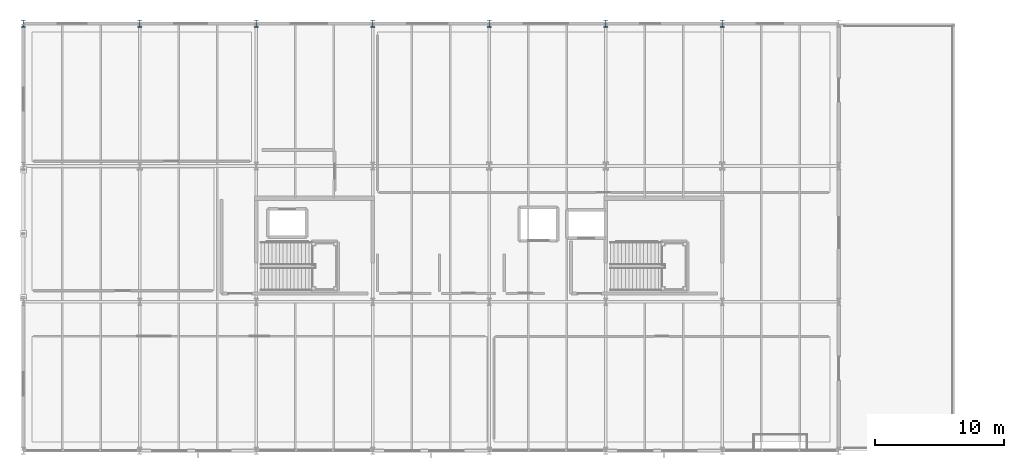
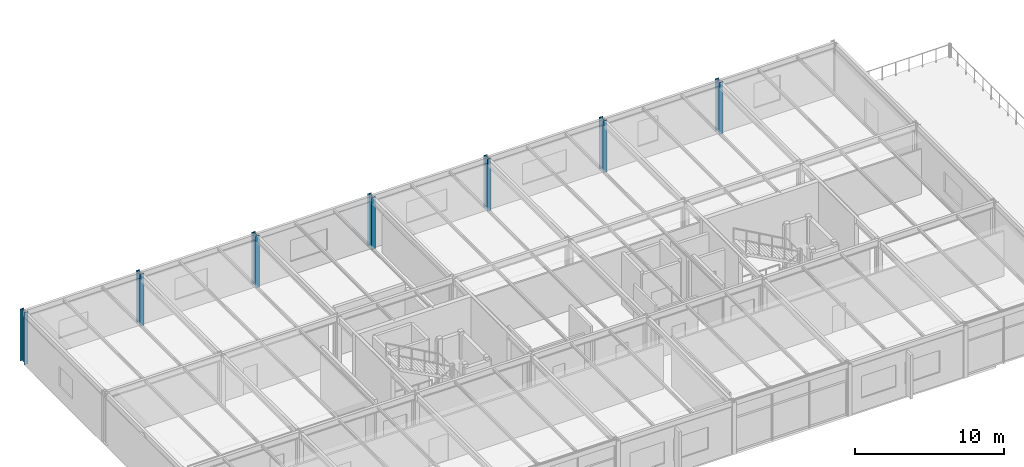
# One storey, part 3 of 44: 7 columns.
"""IFC4 building model written with IfcOpenShell, lengths in metres."""

from ifc_helpers import new_model, si_unit, direction, frame, origin, origin_2d, place, context, subcontext, project, spatial, i_section, extrude, material, material_profile, profile_set, type_object, element, save


model = new_model("IFC4")

# Units and contexts
model_context = context("Model", 3, precision=1e-05, world=origin(), true_north=direction((0.0, 1.0)))
body_context = subcontext(model_context, "Body", "Model", "MODEL_VIEW")
ifc_project = project(units=[si_unit("LENGTHUNIT", "METRE"), si_unit("AREAUNIT", "SQUARE_METRE"), si_unit("VOLUMEUNIT", "CUBIC_METRE"), si_unit("PLANEANGLEUNIT", "RADIAN"), si_unit("MASSUNIT", "GRAM", prefix="KILO")], contexts=[model_context])

# Site, building, storey
site_placement = place(None, origin())
site = spatial("IfcSite", under=ifc_project, at=site_placement, CompositionType="ELEMENT")
building_placement = place(site_placement, origin())
building = spatial("IfcBuilding", under=site, at=building_placement, Name="Marlcrest Central Station", CompositionType="ELEMENT")
storey_placement = place(building_placement, frame((0.0, 0.0, 19.5)))
storey = spatial("IfcBuildingStorey", under=building, at=storey_placement, Name="L04", CompositionType="ELEMENT", Elevation=19.5)

# Columns
ifc_material = material(Name="Steel S355", Category="steel")
ifc_material_profile = material_profile(ifc_material, i_section(OverallWidth=0.300048828125, OverallDepth=0.550048828125, WebThickness=0.014892578125, FlangeThickness=0.029052734375, FilletRadius=0.027099609375, at=origin_2d()), Name="HEB 550")
ifc_profile_set = profile_set([ifc_material_profile], Name="Steel S355")
column_type = type_object("IfcColumnType", Name="SC-04", PredefinedType="COLUMN", material=ifc_profile_set)
for number, where, z_axis, x_axis, name in (
    (1, (0.0, 132.0, 0.0), (0.0, 0.0, 1.0), (1.0, 0.0, 0.0), "col-SC-04-L04-0196"),
    (2, (9.0, 132.0, 0.0), (0.0, 0.0, 1.0), (1.0, 0.0, 0.0), "col-SC-04-L04-0200"),
    (3, (18.0, 132.0, 0.0), (0.0, 0.0, 1.0), (1.0, 0.0, 0.0), "col-SC-04-L04-0204"),
    (4, (27.0, 132.0, 0.0), (0.0, 0.0, 1.0), (1.0, 0.0, 0.0), "col-SC-04-L04-0208"),
    (5, (36.0, 132.0, 0.0), (0.0, 0.0, 1.0), (1.0, 0.0, 0.0), "col-SC-04-L04-0212"),
    (6, (45.0, 132.0, 0.0), (0.0, 0.0, 1.0), (1.0, 0.0, 0.0), "col-SC-04-L04-0216"),
    (7, (54.0, 132.0, 0.0), (0.0, 0.0, 1.0), (1.0, 0.0, 0.0), "col-SC-04-L04-0220"),
):
    element("IfcColumn", number, at=place(storey_placement, frame(where, z_axis=z_axis, x_axis=x_axis)), inside=storey, type_object=column_type, Name=name, PredefinedType="COLUMN", context=body_context, shape_type="SweptSolid", body=[
        extrude(i_section(OverallWidth=0.300048828125, OverallDepth=0.550048828125, WebThickness=0.014892578125, FlangeThickness=0.029052734375, FilletRadius=0.027099609375, at=origin_2d()), origin(), (0.0, 0.0, 1.0), 4.27490234375),
    ])

save(model, "model.ifc")
